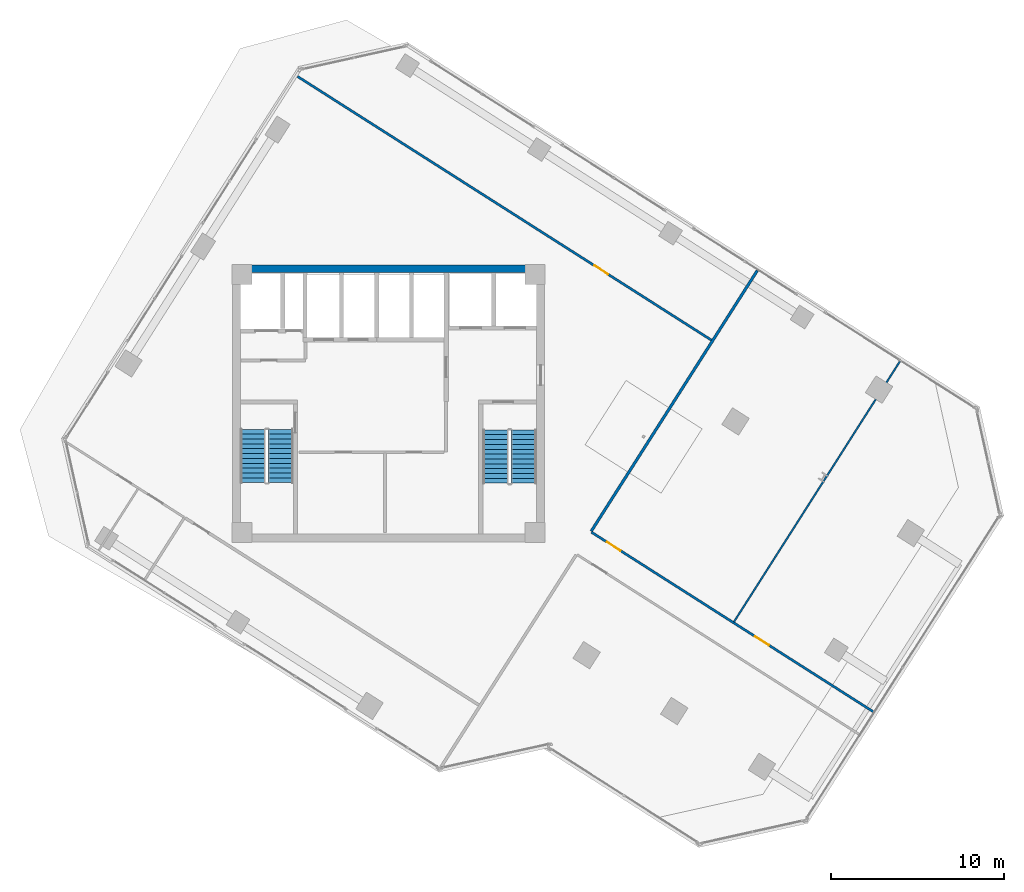
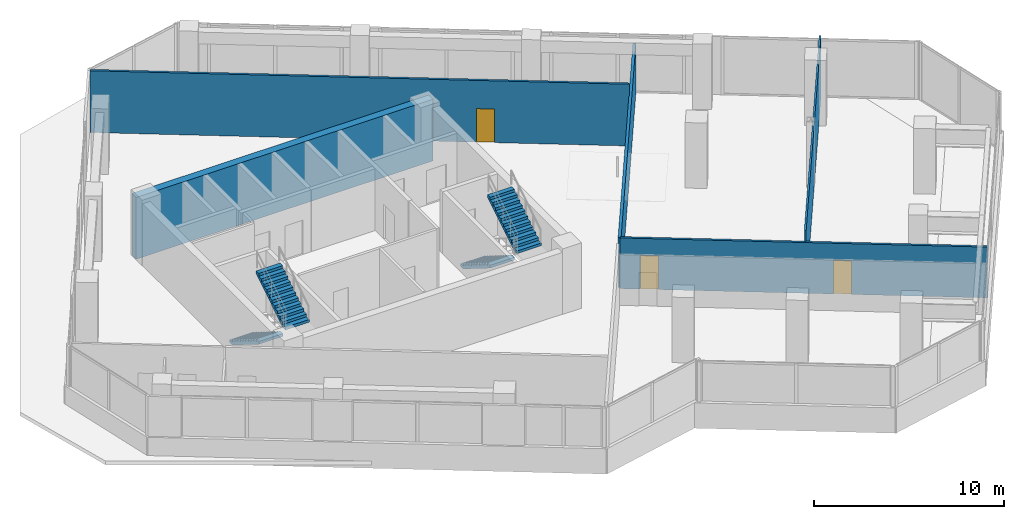
# One storey, part 19 of 23: 5 walls, 4 stair flights, 3 doors, 3 openings, 2 elements without a shape of their own.
"""IFC4 building model written with IfcOpenShell, lengths in metres."""

from ifc_helpers import new_model, si_unit, direction, frame, frame_2d, origin, place, context, subcontext, project, spatial, polyline, rectangle, outline, extrude, source, transform, mapped, material, layer, layer_set, type_object, element, fill, aggregate, save


model = new_model("IFC4")

# Units and contexts
model_context = context("Model", 3, precision=1e-05, world=origin(), true_north=direction((0.0, 1.0)))
body_context = subcontext(model_context, "Body", "Model", "MODEL_VIEW")
ifc_project = project(units=[si_unit("LENGTHUNIT", "METRE"), si_unit("AREAUNIT", "SQUARE_METRE"), si_unit("VOLUMEUNIT", "CUBIC_METRE"), si_unit("PLANEANGLEUNIT", "RADIAN"), si_unit("MASSUNIT", "GRAM", prefix="KILO")], contexts=[model_context])

# Site, building, storey
site_placement = place(None, origin())
site = spatial("IfcSite", under=ifc_project, at=site_placement, CompositionType="ELEMENT")
building_placement = place(site_placement, origin())
building = spatial("IfcBuilding", under=site, at=building_placement, Name="Torre Montelarca", CompositionType="ELEMENT")
storey_placement = place(building_placement, frame((0.0, 0.0, 187.60009765625)))
storey = spatial("IfcBuildingStorey", under=building, at=storey_placement, Name="L42", CompositionType="ELEMENT", Elevation=187.60009765625)

# Walls
ifc_material_1 = material(Name="Concrete C55/67", Category="concrete")
ifc_layer_1 = layer(ifc_material_1, 0.449951171875, Name="Concrete C55/67", Category="concrete")
ifc_layer_set_1 = layer_set([ifc_layer_1], Name="Concrete C55/67")
wall_type_1 = type_object("IfcWallType", Name="CW-SHEAR-450", PredefinedType="SHEAR", material=ifc_layer_set_1)
wall_1_placement = place(storey_placement, frame((9.0, 39.77490234375, 0.0), z_axis=(0.0, 0.0, 1.0), x_axis=(1.0, 0.0, 0.0)))
element("IfcWall", 1, at=wall_1_placement, inside=storey, type_object=wall_type_1, Name="L42 Core Shear Wall CW-N1", PredefinedType="SHEAR", context=body_context, shape_type="SweptSolid", body=[
    extrude(rectangle(XDim=18.0, YDim=0.449951171875, at=frame_2d((9.0, 0.0))), origin(), (0.0, 0.0, 1.0), 3.9599609375),
])
ifc_material_2 = material(Name="Gypsum plasterboard on steel stud", Category="steel")
ifc_layer_2 = layer(ifc_material_2, 0.159912109375, Name="Gypsum plasterboard on steel stud", Category="steel")
ifc_layer_set_2 = layer_set([ifc_layer_2], Name="Gypsum plasterboard on steel stud")
wall_type_2 = type_object("IfcWallType", Name="PW-FIRE-160", PredefinedType="PARTITIONING", material=ifc_layer_set_2)
wall_2_placement = place(storey_placement, frame((29.6982421875, 24.619140625, 0.0), z_axis=(0.0, 0.0, 1.0), x_axis=(0.537299578138, 0.843391465058, 0.0)))
element("IfcWall", 2, at=wall_2_placement, inside=storey, type_object=wall_type_2, Name="L42 Interior Partition W-L42-ECN", PredefinedType="PARTITIONING", context=body_context, shape_type="SweptSolid", body=[
    extrude(rectangle(XDim=17.840087890625, YDim=0.159912109375, at=frame_2d((8.919921875, 0.0))), origin(), (0.0, 0.0, 1.0), 3.19482421875),
])
ifc_material_3 = material(Name="Acoustic laminated glass partition", Category="glass")
ifc_layer_3 = layer(ifc_material_3, 0.10009765625, Name="Acoustic laminated glass partition", Category="glass")
ifc_layer_set_3 = layer_set([ifc_layer_3], Name="Acoustic laminated glass partition")
wall_type_3 = type_object("IfcWallType", Name="PW-GLAZ-100", PredefinedType="PARTITIONING", material=ifc_layer_set_3)
wall_3_placement = place(storey_placement, frame((37.9296875, 19.375, 0.0), z_axis=(0.0, 0.0, 1.0), x_axis=(0.537293376795, 0.843395415717, 0.0)))
element("IfcWall", 3, at=wall_3_placement, inside=storey, type_object=wall_type_3, Name="L42 Interior Partition W-L42-NEDIV-1", PredefinedType="PARTITIONING", context=body_context, shape_type="SweptSolid", body=[
    extrude(rectangle(XDim=17.84033203125, YDim=0.10009765625, at=frame_2d((8.920166015625, 0.0))), origin(), (0.0, 0.0, 1.0), 3.9599609375),
])

# Wall, opening, door
ifc_layer_4 = layer(ifc_material_2, 0.135009765625, Name="Gypsum plasterboard on steel stud", Category="steel")
ifc_layer_set_4 = layer_set([ifc_layer_4], Name="Gypsum plasterboard on steel stud")
wall_type_4 = type_object("IfcWallType", Name="PW-PART-135", PredefinedType="PARTITIONING", material=ifc_layer_set_4)
wall_4_placement = place(storey_placement, frame((12.746826171875, 50.867919921875, 0.0), z_axis=(0.0, 0.0, 1.0), x_axis=(0.843393047262, -0.537297094567, 0.0)))
wall_4 = element("IfcWall", 4, at=wall_4_placement, inside=storey, type_object=wall_type_4, Name="L42 Interior Partition W-L42-NBOT", PredefinedType="PARTITIONING", context=body_context, shape_type="SweptSolid", body=[
    extrude(rectangle(XDim=28.360107421875, YDim=0.135009765625, at=frame_2d((14.18017578125, 0.0))), origin(), (0.0, 0.0, 1.0), 3.9599609375),
])
opening_1_placement = place(wall_4_placement, frame((20.31005859375, 0.0, 0.0)))
opening_1 = element("IfcOpeningElement", 5, at=opening_1_placement, cuts=wall_4, Name="Opening ID-095", PredefinedType="OPENING", context=body_context, shape_type="SweptSolid", body=[
    extrude(rectangle(XDim=0.949951171875, YDim=2.14990234375, at=frame_2d((0.47509765625, 1.074951171875))), frame((0.0, 0.07763671875, 0.0), z_axis=(0.0, -1.0, 0.0), x_axis=(1.0, 0.0, 0.0)), (0.0, 0.0, 1.0), 0.155029296875),
])
ifc_material_4 = material(Name="Hardwood acoustic timber veneer", Category="wood")
door_type = type_object("IfcDoorType", Name="DR-INT-095", OperationType="NOTDEFINED", PredefinedType="DOOR", material=ifc_material_4)
shared_shape = source(origin(), body_context, "Body", "SweptSolid", [
    extrude(rectangle(XDim=0.949951171875, YDim=2.14990234375, at=frame_2d((0.47509765625, 1.074951171875))), frame((0.0, 0.02490234375, 0.0), z_axis=(0.0, -1.0, 0.0), x_axis=(1.0, 0.0, 0.0)), (0.0, 0.0, 1.0), 0.050048828125),
])
door_1_placement = place(opening_1_placement, origin())
door_1 = element("IfcDoor", 6, at=door_1_placement, inside=storey, type_object=door_type, Name="L42 Interior Door 07", OperationType="SINGLE_SWING_LEFT", OverallHeight=2.14990234375, OverallWidth=0.949951171875, PredefinedType="DOOR", context=body_context, shape_type="MappedRepresentation", body=[
    mapped(shared_shape, transform((0.0, 0.0, 0.0), scale=1.0)),
])
fill(opening_1, door_1)

# Wall, openings, doors
wall_5_placement = place(storey_placement, frame((29.71044921875, 24.56396484375, 0.0), z_axis=(0.0, 0.0, 1.0), x_axis=(0.843390003721, -0.537301871971, 0.0)))
wall_5 = element("IfcWall", 7, at=wall_5_placement, inside=storey, type_object=wall_type_4, Name="L42 Interior Partition W-L42-NE-S", PredefinedType="PARTITIONING", context=body_context, shape_type="SweptSolid", body=[
    extrude(rectangle(XDim=19.2998046875, YDim=0.135009765625, at=frame_2d((9.64990234375, 0.0))), origin(), (0.0, 0.0, 1.0), 3.25244140625),
])
opening_2_placement = place(wall_5_placement, frame((1.050048828125, 0.0, 0.0)))
opening_2 = element("IfcOpeningElement", 8, at=opening_2_placement, cuts=wall_5, Name="Opening ID-095", PredefinedType="OPENING", context=body_context, shape_type="SweptSolid", body=[
    extrude(rectangle(XDim=0.949951171875, YDim=2.14990234375, at=frame_2d((0.47509765625, 1.074951171875))), frame((0.0, 0.07763671875, 0.0), z_axis=(0.0, -1.0, 0.0), x_axis=(1.0, 0.0, 0.0)), (0.0, 0.0, 1.0), 0.155029296875),
])
opening_3_placement = place(wall_5_placement, frame((11.2099609375, 0.0, 0.0)))
opening_3 = element("IfcOpeningElement", 9, at=opening_3_placement, cuts=wall_5, Name="Opening ID-095", PredefinedType="OPENING", context=body_context, shape_type="SweptSolid", body=[
    extrude(rectangle(XDim=0.949951171875, YDim=2.14990234375, at=frame_2d((0.47509765625, 1.074951171875))), frame((0.0, 0.07763671875, 0.0), z_axis=(0.0, -1.0, 0.0), x_axis=(1.0, 0.0, 0.0)), (0.0, 0.0, 1.0), 0.155029296875),
])
door_2_placement = place(opening_2_placement, origin())
door_2 = element("IfcDoor", 10, at=door_2_placement, inside=storey, type_object=door_type, Name="L42 Interior Door 08", OperationType="SINGLE_SWING_LEFT", OverallHeight=2.14990234375, OverallWidth=0.949951171875, PredefinedType="DOOR", context=body_context, shape_type="MappedRepresentation", body=[
    mapped(shared_shape, transform((0.0, 0.0, 0.0), scale=1.0)),
])
fill(opening_2, door_2)
door_3_placement = place(opening_3_placement, origin())
door_3 = element("IfcDoor", 11, at=door_3_placement, inside=storey, type_object=door_type, Name="L42 Interior Door 09", OperationType="SINGLE_SWING_RIGHT", OverallHeight=2.14990234375, OverallWidth=0.949951171875, PredefinedType="DOOR", context=body_context, shape_type="MappedRepresentation", body=[
    mapped(shared_shape, transform((0.0, 0.0, 0.0), scale=1.0)),
])
fill(opening_3, door_3)

# Stair, stair flights
ifc_material_5 = material(Name="Concrete C40/50", Category="concrete")
stair_type_1 = type_object("IfcStairType", Name="ST-CORE-ST1", PredefinedType="HALF_TURN_STAIR", material=ifc_material_5)
stair_1_placement = place(storey_placement, origin())
stair_1 = element("IfcStair", 12, at=stair_1_placement, inside=storey, type_object=stair_type_1, Name="L42 Protected Exit Stair ST1", PredefinedType="HALF_TURN_STAIR")
stair_flight_type_1 = type_object("IfcStairFlightType", Name="SFL-CORE-ST1", PredefinedType="STRAIGHT", material=ifc_material_5)
stair_flight_1_placement = place(storey_placement, frame((10.175048828125, 30.5, 0.0), z_axis=(0.0, 0.0, 1.0), x_axis=(0.0, -1.0, 0.0)))
stair_flight_1 = element("IfcStairFlight", 13, at=stair_flight_1_placement, type_object=stair_flight_type_1, Name="ST1 flight 1", NumberOfRisers=12, NumberOfTreads=11, PredefinedType="STRAIGHT", RiserHeight=0.175, TreadLength=0.28, context=body_context, shape_type="SweptSolid", body=[
    extrude(outline(polyline([(0.0, 0.0), (0.0, 0.175048828125), (0.280029296875, 0.175048828125), (0.280029296875, 0.35009765625), (0.56005859375, 0.35009765625), (0.56005859375, 0.52490234375), (0.840087890625, 0.52490234375), (0.840087890625, 0.699951171875), (1.1201171875, 0.699951171875), (1.1201171875, 0.875), (1.39990234375, 0.875), (1.39990234375, 1.050048828125), (1.679931640625, 1.050048828125), (1.679931640625, 1.22509765625), (1.9599609375, 1.22509765625), (1.9599609375, 1.39990234375), (2.239990234375, 1.39990234375), (2.239990234375, 1.574951171875), (2.52001953125, 1.574951171875), (2.52001953125, 1.75), (2.800048828125, 1.75), (2.800048828125, 1.925048828125), (3.080078125, 1.925048828125), (3.080078125, 2.10009765625), (3.080078125, 1.748291015625), (0.28271484375, 0.0), (0.0, 0.0)])), frame((0.0, 0.72509765625, 0.0), z_axis=(0.0, -1.0, 0.0), x_axis=(1.0, 0.0, 0.0)), (0.0, 0.0, 1.0), 1.449951171875),
])
stair_flight_2_placement = place(storey_placement, frame((11.77490234375, 27.419921875, 2.099853515625), z_axis=(0.0, 0.0, 1.0), x_axis=(0.0, 1.0, 0.0)))
stair_flight_2 = element("IfcStairFlight", 14, at=stair_flight_2_placement, type_object=stair_flight_type_1, Name="ST1 flight 2", NumberOfRisers=12, NumberOfTreads=11, PredefinedType="STRAIGHT", RiserHeight=0.175, TreadLength=0.28, context=body_context, shape_type="SweptSolid", body=[
    extrude(outline(polyline([(0.0, 0.0), (0.0, 0.175048828125), (0.280029296875, 0.175048828125), (0.280029296875, 0.35009765625), (0.56005859375, 0.35009765625), (0.56005859375, 0.52490234375), (0.840087890625, 0.52490234375), (0.840087890625, 0.699951171875), (1.1201171875, 0.699951171875), (1.1201171875, 0.875), (1.39990234375, 0.875), (1.39990234375, 1.050048828125), (1.679931640625, 1.050048828125), (1.679931640625, 1.22509765625), (1.9599609375, 1.22509765625), (1.9599609375, 1.39990234375), (2.239990234375, 1.39990234375), (2.239990234375, 1.574951171875), (2.52001953125, 1.574951171875), (2.52001953125, 1.75), (2.800048828125, 1.75), (2.800048828125, 1.925048828125), (3.080078125, 1.925048828125), (3.080078125, 2.10009765625), (3.080078125, 1.748291015625), (0.28271484375, 0.0), (0.0, 0.0)])), frame((0.0, 0.72509765625, 0.0), z_axis=(0.0, -1.0, 0.0), x_axis=(1.0, 0.0, 0.0)), (0.0, 0.0, 1.0), 1.449951171875),
])
aggregate(stair_1, [stair_flight_1, stair_flight_2])

stair_type_2 = type_object("IfcStairType", Name="ST-CORE-ST2", PredefinedType="HALF_TURN_STAIR", material=ifc_material_5)
stair_2_placement = place(storey_placement, origin())
stair_2 = element("IfcStair", 15, at=stair_2_placement, inside=storey, type_object=stair_type_2, Name="L42 Protected Exit Stair ST2", PredefinedType="HALF_TURN_STAIR")
stair_flight_type_2 = type_object("IfcStairFlightType", Name="SFL-CORE-ST2", PredefinedType="STRAIGHT", material=ifc_material_5)
stair_flight_3_placement = place(storey_placement, frame((24.179931640625, 30.469970703125, 0.0), z_axis=(0.0, 0.0, 1.0), x_axis=(0.0, -1.0, 0.0)))
stair_flight_3 = element("IfcStairFlight", 16, at=stair_flight_3_placement, type_object=stair_flight_type_2, Name="ST2 flight 1", NumberOfRisers=12, NumberOfTreads=11, PredefinedType="STRAIGHT", RiserHeight=0.175, TreadLength=0.28, context=body_context, shape_type="SweptSolid", body=[
    extrude(outline(polyline([(0.0, 0.0), (0.0, 0.175048828125), (0.280029296875, 0.175048828125), (0.280029296875, 0.35009765625), (0.56005859375, 0.35009765625), (0.56005859375, 0.52490234375), (0.840087890625, 0.52490234375), (0.840087890625, 0.699951171875), (1.1201171875, 0.699951171875), (1.1201171875, 0.875), (1.39990234375, 0.875), (1.39990234375, 1.050048828125), (1.679931640625, 1.050048828125), (1.679931640625, 1.22509765625), (1.9599609375, 1.22509765625), (1.9599609375, 1.39990234375), (2.239990234375, 1.39990234375), (2.239990234375, 1.574951171875), (2.52001953125, 1.574951171875), (2.52001953125, 1.75), (2.800048828125, 1.75), (2.800048828125, 1.925048828125), (3.080078125, 1.925048828125), (3.080078125, 2.10009765625), (3.080078125, 1.748291015625), (0.28271484375, 0.0), (0.0, 0.0)])), frame((0.0, 0.739990234375, 0.0), z_axis=(0.0, -1.0, 0.0), x_axis=(1.0, 0.0, 0.0)), (0.0, 0.0, 1.0), 1.47998046875),
])
stair_flight_4_placement = place(storey_placement, frame((25.81005859375, 27.389892578125, 2.099853515625), z_axis=(0.0, 0.0, 1.0), x_axis=(0.0, 1.0, 0.0)))
stair_flight_4 = element("IfcStairFlight", 17, at=stair_flight_4_placement, type_object=stair_flight_type_2, Name="ST2 flight 2", NumberOfRisers=12, NumberOfTreads=11, PredefinedType="STRAIGHT", RiserHeight=0.175, TreadLength=0.28, context=body_context, shape_type="SweptSolid", body=[
    extrude(outline(polyline([(0.0, 0.0), (0.0, 0.175048828125), (0.280029296875, 0.175048828125), (0.280029296875, 0.35009765625), (0.56005859375, 0.35009765625), (0.56005859375, 0.52490234375), (0.840087890625, 0.52490234375), (0.840087890625, 0.699951171875), (1.1201171875, 0.699951171875), (1.1201171875, 0.875), (1.39990234375, 0.875), (1.39990234375, 1.050048828125), (1.679931640625, 1.050048828125), (1.679931640625, 1.22509765625), (1.9599609375, 1.22509765625), (1.9599609375, 1.39990234375), (2.239990234375, 1.39990234375), (2.239990234375, 1.574951171875), (2.52001953125, 1.574951171875), (2.52001953125, 1.75), (2.800048828125, 1.75), (2.800048828125, 1.925048828125), (3.080078125, 1.925048828125), (3.080078125, 2.10009765625), (3.080078125, 1.748291015625), (0.28271484375, 0.0), (0.0, 0.0)])), frame((0.0, 0.739990234375, 0.0), z_axis=(0.0, -1.0, 0.0), x_axis=(1.0, 0.0, 0.0)), (0.0, 0.0, 1.0), 1.47998046875),
])
aggregate(stair_2, [stair_flight_3, stair_flight_4])

save(model, "model.ifc")
